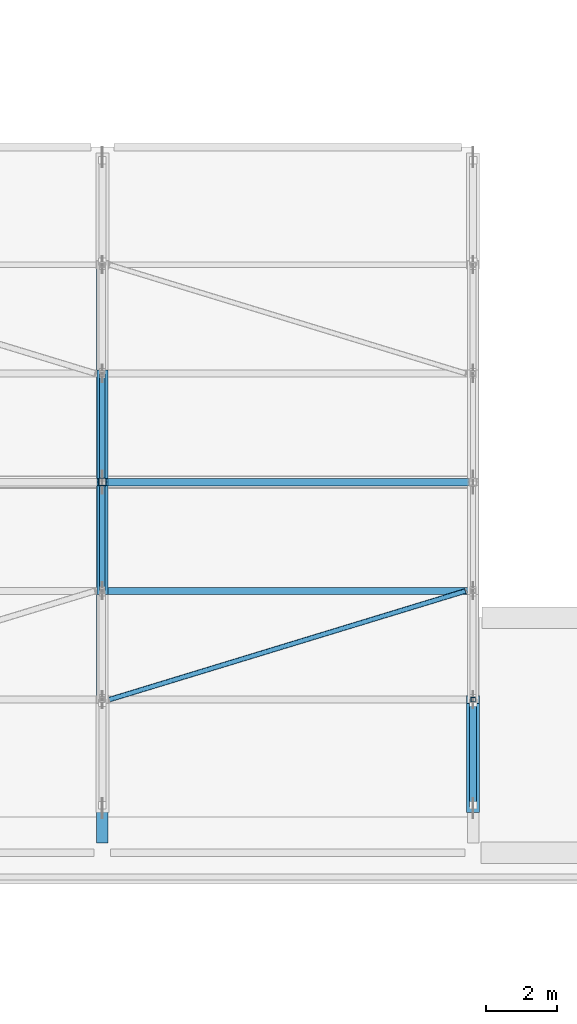
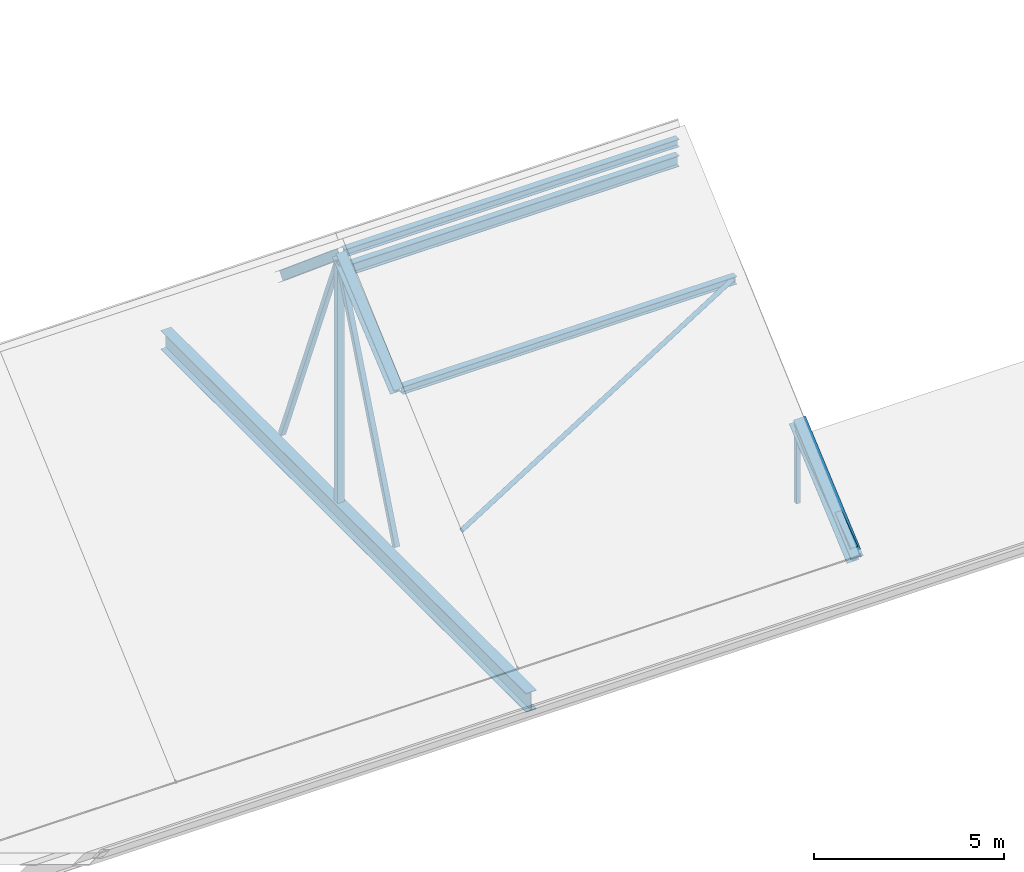
# One storey, part 24 of 86: 10 members, 3 beams.
"""IFC4 building model written with IfcOpenShell, lengths in metres."""

import ifcopenshell
import ifcopenshell.guid

model = None  # the IFC model being written
_history = None  # IfcOwnerHistory: only IFC2X3 demands one
_inside = {}  # id of a spatial element -> (the spatial element, [elements in it])
_under = {}  # id of a project, library or spatial element -> (it, [spatial elements below it])
_declared = {}  # id of a project -> (the project, [libraries it declares])
_typed = {}  # id of a type object -> (the type object, [elements of that type])
_made_of = {}  # id of a material, layer set ... -> (it, [elements and type objects made of it])


def new_model(schema):
    """Start an empty IFC model of exactly this schema.

    Asked for "IFC4X3", IfcOpenShell would pick the latest addendum, in which some entities
    have other attributes; the version numbers below select the first issue.
    IFC2X3 requires an IfcOwnerHistory on every rooted entity: one is made here for all.
    """
    global model, _history
    if schema == "IFC4X3":
        model = ifcopenshell.file(schema_version=(4, 3, 0, 0))
    else:
        model = ifcopenshell.file(schema=schema)
    _inside.clear()
    _under.clear()
    _declared.clear()
    _typed.clear()
    _made_of.clear()
    _history = None
    if model.schema == "IFC2X3":
        org = make("IfcOrganization", Name="unknown")
        user = make(
            "IfcPersonAndOrganization",
            ThePerson=make("IfcPerson", FamilyName="unknown"),
            TheOrganization=org,
        )
        app = make(
            "IfcApplication",
            ApplicationDeveloper=org,
            Version="unknown",
            ApplicationFullName="unknown",
            ApplicationIdentifier="unknown",
        )
        _history = make(
            "IfcOwnerHistory",
            OwningUser=user,
            OwningApplication=app,
            ChangeAction="ADDED",
            CreationDate=0,
        )
    return model


def make(cls, **values):
    """One entity of the class cls with the attributes given. An attribute that is None is left unset."""
    return model.create_entity(
        cls, **{name: value for name, value in values.items() if value is not None}
    )


def rooted(cls, **values):
    """An entity with a GlobalId (a new one), such as an element, a storey or a relation."""
    return make(cls, GlobalId=ifcopenshell.guid.new(), OwnerHistory=_history, **values)


def si_unit(unit_type, name, prefix=None):
    """IfcSIUnit, for example si_unit("LENGTHUNIT", "METRE", prefix="MILLI")."""
    return make("IfcSIUnit", UnitType=unit_type, Prefix=prefix, Name=name)


def derived_unit(unit_type, elements):
    """IfcDerivedUnit: a product of units, each with its exponent."""
    return make(
        "IfcDerivedUnit",
        Elements=[
            make("IfcDerivedUnitElement", Unit=unit, Exponent=power)
            for unit, power in elements
        ],
        UnitType=unit_type,
    )


def assignment(units):
    """IfcUnitAssignment: the units of a project."""
    return None if units is None else make("IfcUnitAssignment", Units=units)


def point(xyz):
    """IfcCartesianPoint."""
    return None if xyz is None else make("IfcCartesianPoint", Coordinates=xyz)


def direction(xyz):
    """IfcDirection."""
    return None if xyz is None else make("IfcDirection", DirectionRatios=xyz)


def frame(location, z_axis=None, x_axis=None):
    """IfcAxis2Placement3D, a coordinate frame: its origin and axes. An axis left out is left unset."""
    return make(
        "IfcAxis2Placement3D",
        Location=point(location),
        Axis=direction(z_axis),
        RefDirection=direction(x_axis),
    )


def frame_2d(location, x_axis=None):
    """IfcAxis2Placement2D, a coordinate frame in the plane: its origin and x axis."""
    return make(
        "IfcAxis2Placement2D", Location=point(location), RefDirection=direction(x_axis)
    )


def origin():
    """The frame at (0, 0, 0) with its axes left unset."""
    return frame((0.0, 0.0, 0.0))


def origin_2d():
    """The frame at (0, 0) in the plane with its x axis left unset."""
    return frame_2d((0.0, 0.0))


def place(relative_to, where):
    """IfcLocalPlacement: puts the frame where relative to a parent placement (None: the world)."""
    return make(
        "IfcLocalPlacement", PlacementRelTo=relative_to, RelativePlacement=where
    )


def context(
    kind, dimensions, precision=None, world=None, true_north=None, identifier=None
):
    """IfcGeometricRepresentationContext, for example the 3D "Model" context."""
    return make(
        "IfcGeometricRepresentationContext",
        ContextIdentifier=identifier,
        ContextType=kind,
        CoordinateSpaceDimension=dimensions,
        Precision=precision,
        WorldCoordinateSystem=world,
        TrueNorth=true_north,
    )


def subcontext(parent, identifier, kind, view, scale=None):
    """IfcGeometricRepresentationSubContext, for example "Body" below "Model"."""
    return make(
        "IfcGeometricRepresentationSubContext",
        ContextIdentifier=identifier,
        ContextType=kind,
        ParentContext=parent,
        TargetScale=scale,
        TargetView=view,
    )


def project(units=None, contexts=None):
    """IfcProject with its units and contexts."""
    return rooted(
        "IfcProject",
        Name="project",
        RepresentationContexts=contexts,
        UnitsInContext=assignment(units),
    )


def spatial(cls, under=None, at=None, **own):
    """A site, building, storey or space (cls), placed at a placement, below another one or the project."""
    s = rooted(cls, ObjectPlacement=at, **own)
    if under is not None:
        _under.setdefault(under.id(), (under, []))[1].append(s)
    return s


def profile(cls, at=None, kind="AREA", **sizes):
    """A parametric profile (cls). Its sizes go by their IFC names, for example OverallWidth=200.0."""
    return make(cls, ProfileType=kind, Position=at, **sizes)


def hollow_rectangle(**sizes):
    """IfcRectangleHollowProfileDef."""
    return profile("IfcRectangleHollowProfileDef", **sizes)


def hollow_circle(**sizes):
    """IfcCircleHollowProfileDef."""
    return profile("IfcCircleHollowProfileDef", **sizes)


def i_section(**sizes):
    """IfcIShapeProfileDef."""
    return profile("IfcIShapeProfileDef", **sizes)


def extrude(swept, where, along, depth):
    """IfcExtrudedAreaSolid: the profile swept, set in the frame where, extruded along a direction by depth."""
    return make(
        "IfcExtrudedAreaSolid",
        SweptArea=swept,
        Position=where,
        ExtrudedDirection=direction(along),
        Depth=depth,
    )


def shape(context_of_items, identifier, shape_type, items):
    """IfcShapeRepresentation: the items that make up one representation, for example the "Body"."""
    return make(
        "IfcShapeRepresentation",
        ContextOfItems=context_of_items,
        RepresentationIdentifier=identifier,
        RepresentationType=shape_type,
        Items=items,
    )


def material(Name=None, Category=None):
    """IfcMaterial."""
    return make("IfcMaterial", Name=Name, Category=Category)


def material_profile(
    of_material, cross_section, Name=None, Category=None, Priority=None
):
    """IfcMaterialProfile: a cross section and its material."""
    return make(
        "IfcMaterialProfile",
        Name=Name,
        Material=of_material,
        Profile=cross_section,
        Priority=Priority,
        Category=Category,
    )


def profile_set(profiles, Name=None, composite=None):
    """IfcMaterialProfileSet."""
    return make(
        "IfcMaterialProfileSet",
        Name=Name,
        MaterialProfiles=profiles,
        CompositeProfile=composite,
    )


def made_of(thing, what):
    """Note that an element or type object is made of a material, layer set ...; save() writes the relation."""
    if what is not None:
        _made_of.setdefault(what.id(), (what, []))[1].append(thing)
    return thing


def type_object(cls, material=None, **own):
    """A type object (cls), such as IfcWallType, which elements share."""
    return made_of(rooted(cls, **own), material)


def element(
    cls,
    number,
    at=None,
    inside=None,
    cuts=None,
    type_object=None,
    material=None,
    context=None,
    identifier="Body",
    shape_type=None,
    held_by="IfcProductDefinitionShape",
    body=None,
    shapes=None,
    **own,
):
    """One element of the class cls, such as IfcWall. Its Tag is "e" and its number.

    at: its placement. inside: the storey or other place that contains it. cuts: it is an
    opening in that element (IfcRelVoidsElement). A single representation is given by context,
    identifier, shape_type and body (its items); several are given by shapes. held_by: the class
    of the entity that holds the representations. save() writes the other relations.
    """
    e = rooted(cls, Tag="e%d" % number, ObjectPlacement=at, **own)
    if body is not None:
        shapes = [shape(context, identifier, shape_type, body)]
    if shapes is not None:
        e.Representation = make(held_by, Representations=shapes)
    if inside is not None:
        _inside.setdefault(inside.id(), (inside, []))[1].append(e)
    if cuts is not None:
        rooted(
            "IfcRelVoidsElement", RelatingBuildingElement=cuts, RelatedOpeningElement=e
        )
    if type_object is not None:
        _typed.setdefault(type_object.id(), (type_object, []))[1].append(e)
    return made_of(e, material)


def aggregate(whole, parts):
    """IfcRelAggregates: a whole, such as a stair, and the parts it consists of."""
    return rooted("IfcRelAggregates", RelatingObject=whole, RelatedObjects=parts)


def save(model, path):
    """Write the relations noted so far, then the file.

    IfcRelAggregates (storeys below a building ...), IfcRelContainedInSpatialStructure (elements
    in a storey), IfcRelDefinesByType, IfcRelAssociatesMaterial and IfcRelDeclares: one each for
    every whole, place, type object, material and project.
    """
    for whole, parts in _under.values():
        aggregate(whole, parts)
    for where, things in _inside.values():
        rooted(
            "IfcRelContainedInSpatialStructure",
            RelatedElements=things,
            RelatingStructure=where,
        )
    for kind, things in _typed.values():
        rooted("IfcRelDefinesByType", RelatedObjects=things, RelatingType=kind)
    for what, things in _made_of.values():
        rooted("IfcRelAssociatesMaterial", RelatedObjects=things, RelatingMaterial=what)
    for by, libraries in _declared.values():
        rooted("IfcRelDeclares", RelatingContext=by, RelatedDefinitions=libraries)
    model.write(path)


model = new_model("IFC4")

# Units and contexts
model_context = context("Model", 3, precision=1e-05, world=origin(), true_north=direction((0.0, 1.0)))
body_context = subcontext(model_context, "Body", "Model", "MODEL_VIEW")
ifc_project = project(units=[si_unit("LENGTHUNIT", "METRE"), si_unit("AREAUNIT", "SQUARE_METRE"), si_unit("VOLUMEUNIT", "CUBIC_METRE"), si_unit("PLANEANGLEUNIT", "RADIAN"), si_unit("MASSUNIT", "GRAM", prefix="KILO"), derived_unit("THERMALTRANSMITTANCEUNIT", [(si_unit("POWERUNIT", "WATT"), 1), (si_unit("LENGTHUNIT", "METRE"), -2), (si_unit("THERMODYNAMICTEMPERATUREUNIT", "KELVIN"), -1)])], contexts=[model_context])

# Site, building, storey
site_placement = place(None, origin())
site = spatial("IfcSite", under=ifc_project, at=site_placement, CompositionType="ELEMENT")
building_placement = place(site_placement, origin())
building = spatial("IfcBuilding", under=site, at=building_placement, Name="Braskholm Square Health Centre", CompositionType="ELEMENT")
storey_placement = place(building_placement, frame((0.0, 0.0, 13.5)))
storey = spatial("IfcBuildingStorey", under=building, at=storey_placement, Name="L04", CompositionType="ELEMENT", Elevation=13.5)

# Beams
ifc_material_1 = material(Name="Steel ASTM A992 Grade 50", Category="steel")
ifc_material_profile_1 = material_profile(ifc_material_1, i_section(OverallWidth=0.201904296875, OverallDepth=0.2470703125, WebThickness=0.00732421875, FlangeThickness=0.010986328125, at=origin_2d()), Name="W10X33")
ifc_profile_set_1 = profile_set([ifc_material_profile_1], Name="Steel ASTM A992 Grade 50")
beam_type_1 = type_object("IfcBeamType", Name="RoofPurlinJoistW10X33", PredefinedType="JOIST", material=ifc_profile_set_1)
for number, where, z_axis, x_axis, name in (
    (1, (110.1201171875, 94.550048828125, 5.12109375), (1.0, 0.0, 0.0), (0.0, 1.0, 0.0), "ROOF TRUSS purlin joist 032"),
    (2, (110.1201171875, 97.60009765625, 7.679931640625), (1.0, 0.0, 0.0), (0.0, 1.0, 0.0), "ROOF TRUSS purlin joist 033"),
):
    element("IfcBeam", number, at=place(storey_placement, frame(where, z_axis=z_axis, x_axis=x_axis)), inside=storey, type_object=beam_type_1, Name=name, PredefinedType="JOIST", context=body_context, shape_type="SweptSolid", body=[
        extrude(i_section(OverallWidth=0.201904296875, OverallDepth=0.2470703125, WebThickness=0.00732421875, FlangeThickness=0.010986328125, at=origin_2d()), origin(), (0.0, 0.0, 1.0), 10.159912109375),
    ])

# Member
ifc_material_2 = material(Name="Steel ASTM A500 Grade C", Category="steel")
ifc_material_profile_2 = material_profile(ifc_material_2, hollow_circle(Radius=0.070556640625, WallThickness=0.006103515625, at=origin_2d()), Name="HSS5.563X0.258")
ifc_profile_set_2 = profile_set([ifc_material_profile_2], Name="Steel ASTM A500 Grade C")
member_type_1 = type_object("IfcMemberType", Name="RoofSwayBraceCHS141", PredefinedType="BRACE", material=ifc_profile_set_2)
member_1_placement = place(storey_placement, frame((110.199951171875, 91.5, 2.402099609375), z_axis=(0.925704815743, 0.282344488845, 0.251698596995), x_axis=(-0.291736758099, 0.956498648182, 0.0)))
element("IfcMember", 3, at=member_1_placement, inside=storey, type_object=member_type_1, Name="ROOF TRUSS slope brace South Bay 7", PredefinedType="BRACE", context=body_context, shape_type="SweptSolid", body=[
    extrude(hollow_circle(Radius=0.070556640625, WallThickness=0.006103515625, at=origin_2d()), origin(), (0.0, 0.0, 1.0), 10.802490234375),
])

# Beam
ifc_material_profile_3 = material_profile(ifc_material_1, i_section(OverallWidth=0.323974609375, OverallDepth=0.612060546875, WebThickness=0.0126953125, FlangeThickness=0.01904296875, at=origin_2d()), Name="W24X104")
ifc_profile_set_3 = profile_set([ifc_material_profile_3], Name="Steel ASTM A992 Grade 50")
beam_type_2 = type_object("IfcBeamType", Name="SteelGirderHallTieW24X104", PredefinedType="BEAM", material=ifc_profile_set_3)
beam_placement = place(storey_placement, frame((110.0, 87.47998046875, -0.580078125), z_axis=(0.0, 1.0, 0.0), x_axis=(-1.0, 0.0, 0.0)))
element("IfcBeam", 4, at=beam_placement, inside=storey, type_object=beam_type_2, Name="ROOF TRUSS tie girder TR-07", PredefinedType="BEAM", context=body_context, shape_type="SweptSolid", body=[
    extrude(i_section(OverallWidth=0.323974609375, OverallDepth=0.612060546875, WebThickness=0.0126953125, FlangeThickness=0.01904296875, at=origin_2d()), origin(), (0.0, 0.0, 1.0), 19.239990234375),
])

# Members
ifc_material_profile_4 = material_profile(ifc_material_1, i_section(OverallWidth=0.2041015625, OverallDepth=0.35009765625, WebThickness=0.008544921875, FlangeThickness=0.01513671875, at=origin_2d()), Name="W14X48")
ifc_profile_set_4 = profile_set([ifc_material_profile_4], Name="Steel ASTM A992 Grade 50")
member_type_2 = type_object("IfcMemberType", Name="TrussBottomChordW14X48", PredefinedType="CHORD", material=ifc_profile_set_4)
member_2_placement = place(storey_placement, frame((110.1201171875, 97.60009765625, 7.10009765625), z_axis=(1.0, 0.0, 0.0), x_axis=(0.0, 1.0, 0.0)))
element("IfcMember", 5, at=member_2_placement, inside=storey, type_object=member_type_2, Name="ROOF TRUSS ridge tie strut Bay 7", PredefinedType="CHORD", context=body_context, shape_type="SweptSolid", body=[
    extrude(i_section(OverallWidth=0.2041015625, OverallDepth=0.35009765625, WebThickness=0.008544921875, FlangeThickness=0.01513671875, at=origin_2d()), origin(), (0.0, 0.0, 1.0), 10.159912109375),
])
ifc_material_profile_5 = material_profile(ifc_material_2, hollow_rectangle(XDim=0.15234375, YDim=0.15234375, WallThickness=0.0087890625, at=origin_2d()), Name="HSS6X6X3/8")
ifc_profile_set_5 = profile_set([ifc_material_profile_5], Name="Steel ASTM A500 Grade C")
member_type_3 = type_object("IfcMemberType", Name="TrussCenterDiagHSS6X6", PredefinedType="BRACE", material=ifc_profile_set_5)
for number, where, z_axis, x_axis, name in (
    (6, (110.0, 94.594970703125, 0.071044921875), (0.0, 0.374971294581, 0.927036422284), (-1.0, 0.0, 0.0), "ROOF TRUSS diagonal web TR-07-D3"),
    (7, (110.0, 100.60498046875, 0.071044921875), (0.0, -0.374971294581, 0.927036422284), (1.0, 0.0, 0.0), "ROOF TRUSS diagonal web TR-07-D4"),
):
    element("IfcMember", number, at=place(storey_placement, frame(where, z_axis=z_axis, x_axis=x_axis)), inside=storey, type_object=member_type_3, Name=name, PredefinedType="BRACE", context=body_context, shape_type="SweptSolid", body=[
        extrude(hollow_rectangle(XDim=0.15234375, YDim=0.15234375, WallThickness=0.0087890625, at=origin_2d()), origin(), (0.0, 0.0, 1.0), 7.893798828125),
    ])
ifc_material_profile_6 = material_profile(ifc_material_1, i_section(OverallWidth=0.304931640625, OverallDepth=0.306884765625, WebThickness=0.010009765625, FlangeThickness=0.015380859375, at=origin_2d()), Name="W12X65")
ifc_profile_set_6 = profile_set([ifc_material_profile_6], Name="Steel ASTM A992 Grade 50")
member_type_4 = type_object("IfcMemberType", Name="TrussHipChordW12X65", PredefinedType="CHORD", material=ifc_profile_set_6)
member_3_placement = place(storey_placement, frame((110.0, 94.550048828125, 5.101318359375), z_axis=(0.0, 0.766131151452, 0.642684260563), x_axis=(-1.0, 0.0, 0.0)))
element("IfcMember", 8, at=member_3_placement, inside=storey, type_object=member_type_4, Name="ROOF TRUSS top chord TR-07-3", PredefinedType="CHORD", context=body_context, shape_type="SweptSolid", body=[
    extrude(i_section(OverallWidth=0.304931640625, OverallDepth=0.306884765625, WebThickness=0.010009765625, FlangeThickness=0.015380859375, at=origin_2d()), origin(), (0.0, 0.0, 1.0), 3.981201171875),
])
member_4_placement = place(storey_placement, frame((110.0, 97.60009765625, 7.659912109375), z_axis=(0.0, 0.766105819869, -0.642714456631), x_axis=(-1.0, 0.0, 0.0)))
element("IfcMember", 9, at=member_4_placement, inside=storey, type_object=member_type_4, Name="ROOF TRUSS top chord TR-07-4", PredefinedType="CHORD", context=body_context, shape_type="SweptSolid", body=[
    extrude(i_section(OverallWidth=0.304931640625, OverallDepth=0.306884765625, WebThickness=0.010009765625, FlangeThickness=0.015380859375, at=origin_2d()), origin(), (0.0, 0.0, 1.0), 3.98095703125),
])
ifc_material_profile_7 = material_profile(ifc_material_2, hollow_rectangle(XDim=0.203125, YDim=0.203125, WallThickness=0.01171875, at=origin_2d()), Name="HSS8X8X1/2")
ifc_profile_set_7 = profile_set([ifc_material_profile_7], Name="Steel ASTM A500 Grade C")
member_type_5 = type_object("IfcMemberType", Name="TrussOuterDiagHSS8X8X12", PredefinedType="BRACE", material=ifc_profile_set_7)
member_5_placement = place(storey_placement, frame((120.39990234375, 88.5458984375, 0.031005859375), z_axis=(0.0, 0.803191214474, 0.595721304799), x_axis=(-1.0, 0.0, 0.0)))
element("IfcMember", 10, at=member_5_placement, inside=storey, type_object=member_type_5, Name="ROOF TRUSS diagonal web TR-08-D1", PredefinedType="BRACE", context=body_context, shape_type="SweptSolid", body=[
    extrude(hollow_rectangle(XDim=0.203125, YDim=0.203125, WallThickness=0.01171875, at=origin_2d()), origin(), (0.0, 0.0, 1.0), 3.55859375),
])
ifc_material_profile_8 = material_profile(ifc_material_1, i_section(OverallWidth=0.368896484375, OverallDepth=0.35595703125, WebThickness=0.01123046875, FlangeThickness=0.01806640625, at=origin_2d()), Name="W14X90")
ifc_profile_set_8 = profile_set([ifc_material_profile_8], Name="Steel ASTM A992 Grade 50")
member_type_6 = type_object("IfcMemberType", Name="TrussTopChordW14X90", PredefinedType="CHORD", material=ifc_profile_set_8)
member_6_placement = place(storey_placement, frame((120.39990234375, 88.449951171875, -0.260009765625), z_axis=(0.0, 0.755846764348, 0.654748553892), x_axis=(-1.0, 0.0, 0.0)))
element("IfcMember", 11, at=member_6_placement, inside=storey, type_object=member_type_6, Name="ROOF TRUSS top chord TR-08-1", PredefinedType="CHORD", context=body_context, shape_type="SweptSolid", body=[
    extrude(i_section(OverallWidth=0.368896484375, OverallDepth=0.35595703125, WebThickness=0.01123046875, FlangeThickness=0.01806640625, at=origin_2d()), origin(), (0.0, 0.0, 1.0), 4.03515625),
])
ifc_material_profile_9 = material_profile(ifc_material_2, hollow_rectangle(XDim=0.126953125, YDim=0.126953125, WallThickness=0.00732421875, at=origin_2d()), Name="HSS5X5X5/16")
ifc_profile_set_9 = profile_set([ifc_material_profile_9], Name="Steel ASTM A500 Grade C")
member_type_7 = type_object("IfcMemberType", Name="TrussVerticalStrutHSS5X5", PredefinedType="STRUT", material=ifc_profile_set_9)
member_7_placement = place(storey_placement, frame((120.39990234375, 91.5, -0.27001953125), z_axis=(0.0, 0.0, 1.0), x_axis=(1.0, 0.0, 0.0)))
element("IfcMember", 12, at=member_7_placement, inside=storey, type_object=member_type_7, Name="ROOF TRUSS vertical strut TR-08-V1", PredefinedType="STRUT", context=body_context, shape_type="SweptSolid", body=[
    extrude(hollow_rectangle(XDim=0.126953125, YDim=0.126953125, WallThickness=0.00732421875, at=origin_2d()), origin(), (0.0, 0.0, 1.0), 2.4921875),
])
ifc_material_profile_10 = material_profile(ifc_material_2, hollow_rectangle(XDim=0.203125, YDim=0.203125, WallThickness=0.0087890625, at=origin_2d()), Name="HSS8X8X3/8")
ifc_profile_set_10 = profile_set([ifc_material_profile_10], Name="Steel ASTM A500 Grade C")
member_type_8 = type_object("IfcMemberType", Name="TrussVerticalStrutHSS8X8", PredefinedType="STRUT", material=ifc_profile_set_10)
member_8_placement = place(storey_placement, frame((110.0, 97.60009765625, -0.27001953125), z_axis=(0.0, 0.0, 1.0), x_axis=(1.0, 0.0, 0.0)))
element("IfcMember", 13, at=member_8_placement, inside=storey, type_object=member_type_8, Name="ROOF TRUSS vertical strut TR-07-V3", PredefinedType="STRUT", context=body_context, shape_type="SweptSolid", body=[
    extrude(hollow_rectangle(XDim=0.203125, YDim=0.203125, WallThickness=0.0087890625, at=origin_2d()), origin(), (0.0, 0.0, 1.0), 7.77001953125),
])

save(model, "model.ifc")
